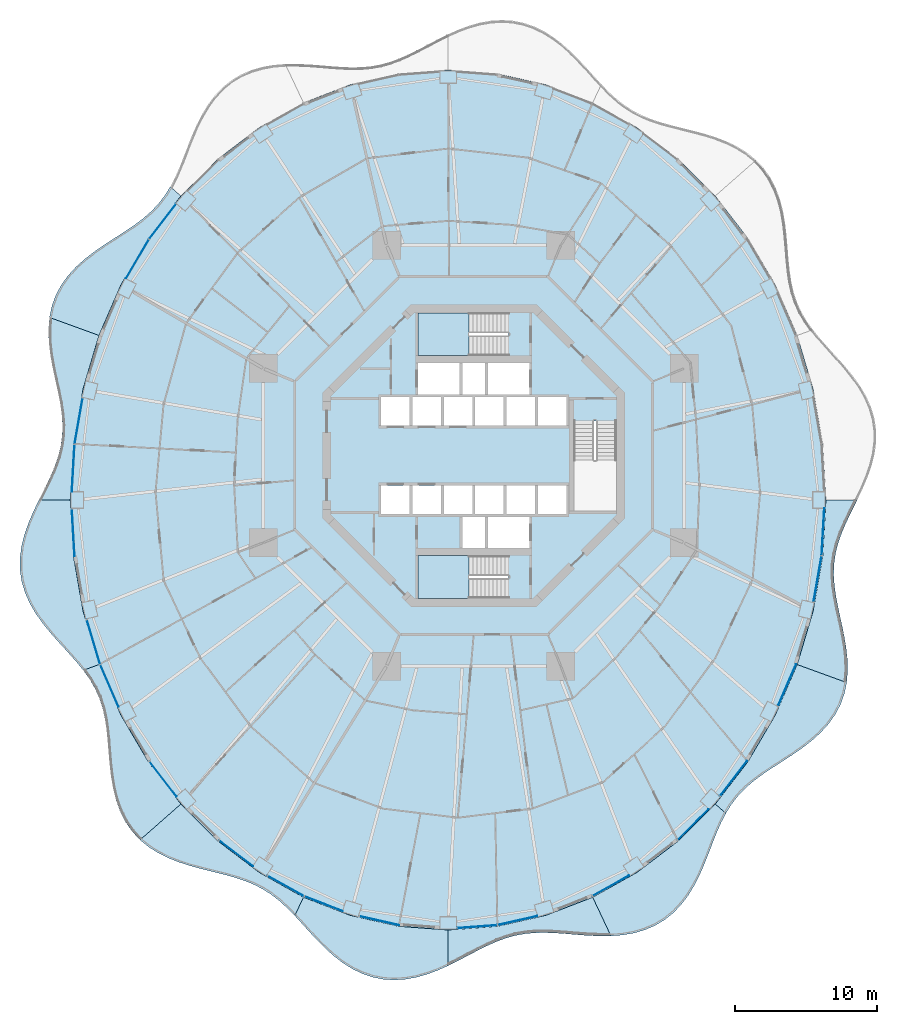
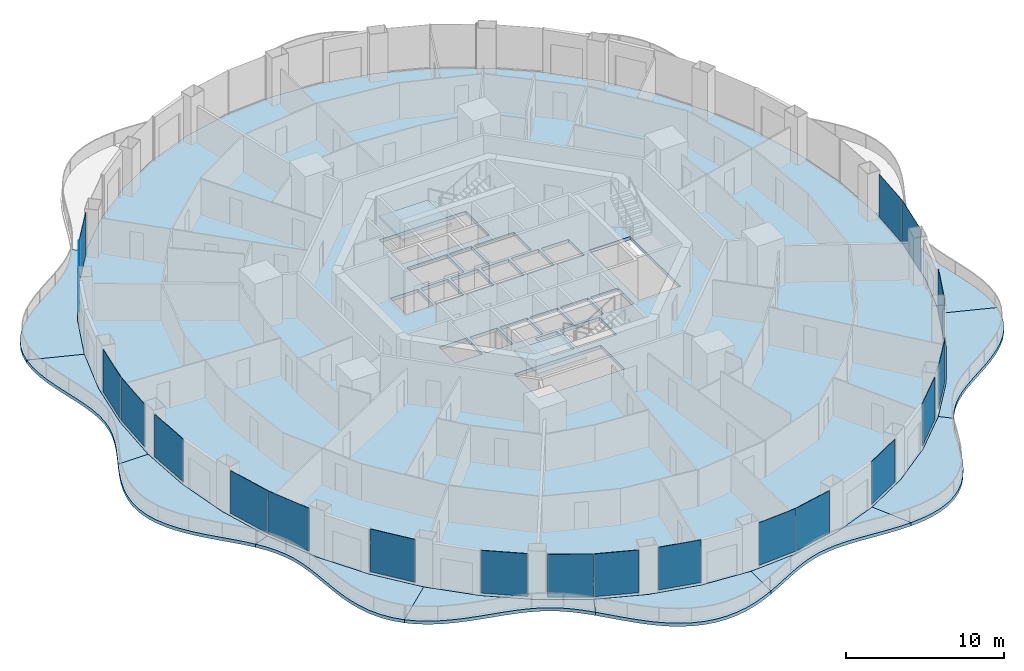
# One storey, part 10 of 20: 20 plates, 13 slabs, 22 elements without a shape of their own.
"""IFC4 building model written with IfcOpenShell, lengths in metres."""

from ifc_helpers import new_model, si_unit, direction, frame, origin, origin_2d, place, context, subcontext, project, spatial, polyline, rectangle, outline, extrude, material, layer, layer_set, type_object, element, aggregate, save


model = new_model("IFC4")

# Units and contexts
model_context = context("Model", 3, precision=1e-05, world=origin(), true_north=direction((0.0, 1.0)))
body_context = subcontext(model_context, "Body", "Model", "MODEL_VIEW")
ifc_project = project(units=[si_unit("LENGTHUNIT", "METRE"), si_unit("AREAUNIT", "SQUARE_METRE"), si_unit("VOLUMEUNIT", "CUBIC_METRE"), si_unit("PLANEANGLEUNIT", "RADIAN"), si_unit("MASSUNIT", "GRAM", prefix="KILO")], contexts=[model_context])

# Site, building, storey
site_placement = place(None, origin())
site = spatial("IfcSite", under=ifc_project, at=site_placement, CompositionType="ELEMENT")
building_placement = place(site_placement, origin())
building = spatial("IfcBuilding", under=site, at=building_placement, Name="Nagisa Residences", CompositionType="ELEMENT")
storey_placement = place(building_placement, frame((0.0, 0.0, 141.800048828125)))
storey = spatial("IfcBuildingStorey", under=building, at=storey_placement, Name="L35", CompositionType="ELEMENT", Elevation=141.800048828125)

# Slabs
ifc_material_1 = material(Name="Concrete C40/50", Category="concrete")
ifc_layer_1 = layer(ifc_material_1, 0.25)
ifc_layer_set_1 = layer_set([ifc_layer_1], Name="BALCONY SLAB 250")
slab_type_1 = type_object("IfcSlabType", Name="BALCONY SLAB 250", PredefinedType="FLOOR", material=ifc_layer_set_1)
slab_1_placement = place(storey_placement, frame((0.0, 0.0, -0.25)))
element("IfcSlab", 1, at=slab_1_placement, inside=storey, type_object=slab_type_1, Name="slab:L35:bal06", PredefinedType="FLOOR", context=body_context, shape_type="SweptSolid", body=[
    extrude(outline(polyline([(-21.302734375, 18.88330078125), (-21.697509765625, 18.2509765625), (-22.147705078125, 17.66943359375), (-22.658203125, 17.134033203125), (-23.22900390625, 16.637451171875), (-23.85498046875, 16.168701171875), (-24.5263671875, 15.71533203125), (-25.22802734375, 15.263671875), (-25.9423828125, 14.80029296875), (-26.6484375, 14.3125), (-27.324951171875, 13.790283203125), (-27.951171875, 13.225341796875), (-28.507568359375, 12.61279296875), (-28.978271484375, 11.951416015625), (-29.35205078125, 11.242431640625), (-29.62255859375, 10.490478515625), (-29.789306640625, 9.701904296875), (-26.315185546875, 8.4375), (-24.780029296875, 11.979736328125), (-22.8515625, 15.263916015625), (-20.56298828125, 18.2333984375), (-21.302734375, 18.88330078125)])), origin(), (0.0, 0.0, 1.0), 0.25),
])
slab_2_placement = place(storey_placement, frame((0.0, 0.0, -0.25)))
element("IfcSlab", 2, at=slab_2_placement, inside=storey, type_object=slab_type_1, Name="slab:L35:bal07", PredefinedType="FLOOR", context=body_context, shape_type="SweptSolid", body=[
    extrude(outline(polyline([(-29.789306640625, 9.701904296875), (-29.85791015625, 8.859619140625), (-29.833740234375, 7.998046875), (-29.734130859375, 7.128173828125), (-29.5810546875, 6.260009765625), (-29.399169921875, 5.40185546875), (-29.21435546875, 4.560302734375), (-29.051513671875, 3.7392578125), (-28.933349609375, 2.9404296875), (-28.87841796875, 2.162109375), (-28.899658203125, 1.4013671875), (-29.003662109375, 0.653076171875), (-29.190185546875, -0.08935546875), (-29.4521484375, -0.83203125), (-29.77587890625, -1.581298828125), (-30.142333984375, -2.342041015625), (-30.5283203125, -3.11767578125), (-28.3349609375, -3.11767578125), (-28.10791015625, 0.823486328125), (-27.430908203125, 4.697265625), (-26.315185546875, 8.4375), (-29.789306640625, 9.701904296875)])), origin(), (0.0, 0.0, 1.0), 0.25),
])
slab_3_placement = place(storey_placement, frame((0.0, 0.0, -0.25)))
element("IfcSlab", 3, at=slab_3_placement, inside=storey, type_object=slab_type_1, Name="slab:L35:bal08", PredefinedType="FLOOR", context=body_context, shape_type="SweptSolid", body=[
    extrude(outline(polyline([(-30.5283203125, -3.11767578125), (-30.90771484375, -3.909912109375), (-31.25439453125, -4.7177734375), (-31.54296875, -5.5380859375), (-31.7509765625, -6.366455078125), (-31.860107421875, -7.1962890625), (-31.858154296875, -8.0205078125), (-31.739501953125, -8.831787109375), (-31.50537109375, -9.623291015625), (-31.163818359375, -10.389892578125), (-30.728759765625, -11.1279296875), (-30.219970703125, -11.836181640625), (-29.66015625, -12.516357421875), (-29.074951171875, -13.172607421875), (-28.490234375, -13.8115234375), (-27.929443359375, -14.441650390625), (-27.4140625, -15.07275390625), (-26.315185546875, -14.6728515625), (-27.430908203125, -10.9326171875), (-28.10791015625, -7.058837890625), (-28.3349609375, -3.11767578125), (-30.5283203125, -3.11767578125)])), origin(), (0.0, 0.0, 1.0), 0.25),
])
slab_4_placement = place(storey_placement, frame((0.0, 0.0, -0.25)))
element("IfcSlab", 4, at=slab_4_placement, inside=storey, type_object=slab_type_1, Name="slab:L35:bal09", PredefinedType="FLOOR", context=body_context, shape_type="SweptSolid", body=[
    extrude(outline(polyline([(-27.4140625, -15.07275390625), (-26.973388671875, -15.695068359375), (-26.6005859375, -16.3369140625), (-26.2998046875, -17.005615234375), (-26.069091796875, -17.707275390625), (-25.90185546875, -18.44482421875), (-25.78515625, -19.21826171875), (-25.703125, -20.0244140625), (-25.63623046875, -20.856689453125), (-25.5634765625, -21.705810546875), (-25.463623046875, -22.55908203125), (-25.317138671875, -23.40283203125), (-25.10693359375, -24.222412109375), (-24.819091796875, -25.0029296875), (-24.445068359375, -25.73095703125), (-23.981201171875, -26.39501953125), (-23.428466796875, -26.98681640625), (-20.56298828125, -24.46875), (-22.8515625, -21.499267578125), (-24.780029296875, -18.215087890625), (-26.315185546875, -14.6728515625), (-27.4140625, -15.07275390625)])), origin(), (0.0, 0.0, 1.0), 0.25),
])
slab_5_placement = place(storey_placement, frame((0.0, 0.0, -0.25)))
element("IfcSlab", 5, at=slab_5_placement, inside=storey, type_object=slab_type_1, Name="slab:L35:bal10", PredefinedType="FLOOR", context=body_context, shape_type="SweptSolid", body=[
    extrude(outline(polyline([(-23.428466796875, -26.98681640625), (-22.8251953125, -27.47998046875), (-22.156005859375, -27.903564453125), (-21.43359375, -28.260986328125), (-20.671875, -28.559814453125), (-19.88623046875, -28.810302734375), (-19.092041015625, -29.02587890625), (-18.303955078125, -29.2216796875), (-17.534423828125, -29.413818359375), (-16.793212890625, -29.618896484375), (-16.087646484375, -29.8515625), (-15.421142578125, -30.125), (-14.79345703125, -30.44921875), (-14.201416015625, -30.830078125), (-13.638427734375, -31.269775390625), (-13.09619140625, -31.764892578125), (-12.564453125, -32.308349609375), (-11.95458984375, -31.01416015625), (-15.0673828125, -29.267333984375), (-17.953369140625, -27.072998046875), (-20.56298828125, -24.46875), (-23.428466796875, -26.98681640625)])), origin(), (0.0, 0.0, 1.0), 0.25),
])
slab_6_placement = place(storey_placement, frame((0.0, 0.0, -0.25)))
element("IfcSlab", 6, at=slab_6_placement, inside=storey, type_object=slab_type_1, Name="slab:L35:bal11", PredefinedType="FLOOR", context=body_context, shape_type="SweptSolid", body=[
    extrude(outline(polyline([(-12.564453125, -32.308349609375), (-12.052001953125, -32.86669921875), (-11.52978515625, -33.445068359375), (-10.9892578125, -34.02734375), (-10.423095703125, -34.595458984375), (-9.826416015625, -35.13134765625), (-9.196044921875, -35.616943359375), (-8.531494140625, -36.0361328125), (-7.834716796875, -36.374755859375), (-7.109375, -36.622314453125), (-6.361572265625, -36.772705078125), (-5.597900390625, -36.823486328125), (-4.826171875, -36.77734375), (-4.05419921875, -36.641357421875), (-3.288818359375, -36.42626953125), (-2.535888671875, -36.146484375), (-1.800048828125, -35.819580078125), (-1.800048828125, -33.312744140625), (-5.263427734375, -33.054443359375), (-8.667724609375, -32.283935546875), (-11.95458984375, -31.01416015625), (-12.564453125, -32.308349609375)])), origin(), (0.0, 0.0, 1.0), 0.25),
])
slab_7_placement = place(storey_placement, frame((0.0, 0.0, -0.25)))
element("IfcSlab", 7, at=slab_7_placement, inside=storey, type_object=slab_type_1, Name="slab:L35:bal12", PredefinedType="FLOOR", context=body_context, shape_type="SweptSolid", body=[
    extrude(outline(polyline([(-1.800048828125, -35.819580078125), (-1.083251953125, -35.463623046875), (-0.385986328125, -35.09814453125), (0.29345703125, -34.74169921875), (0.959228515625, -34.411376953125), (1.615966796875, -34.120849609375), (2.270263671875, -33.88134765625), (2.9287109375, -33.69921875), (3.597900390625, -33.576904296875), (4.283203125, -33.511962890625), (4.9892578125, -33.498046875), (5.718505859375, -33.524658203125), (6.470947265625, -33.578369140625), (7.244384765625, -33.64306640625), (8.0341796875, -33.701416015625), (8.833984375, -33.736328125), (9.634765625, -33.73046875), (8.3544921875, -31.01416015625), (5.06787109375, -32.283935546875), (1.66357421875, -33.054443359375), (-1.800048828125, -33.312744140625), (-1.800048828125, -35.819580078125)])), origin(), (0.0, 0.0, 1.0), 0.25),
])
slab_8_placement = place(storey_placement, frame((0.0, 0.0, -0.25)))
element("IfcSlab", 8, at=slab_8_placement, inside=storey, type_object=slab_type_1, Name="slab:L35:bal13", PredefinedType="FLOOR", context=body_context, shape_type="SweptSolid", body=[
    extrude(outline(polyline([(9.634765625, -33.73046875), (10.456298828125, -33.66552734375), (11.25634765625, -33.526611328125), (12.023193359375, -33.303955078125), (12.74609375, -32.9912109375), (13.416015625, -32.58740234375), (14.0263671875, -32.095947265625), (14.573486328125, -31.5244140625), (15.057861328125, -30.884033203125), (15.482666015625, -30.1884765625), (15.85546875, -29.454345703125), (16.1865234375, -28.698486328125), (16.488525390625, -27.9375), (16.776123046875, -27.186767578125), (17.064453125, -26.460205078125), (17.36865234375, -25.768310546875), (17.70263671875, -25.11865234375), (16.963134765625, -24.46875), (14.353515625, -27.072998046875), (11.467529296875, -29.267333984375), (8.3544921875, -31.01416015625), (9.634765625, -33.73046875)])), origin(), (0.0, 0.0, 1.0), 0.25),
])
slab_9_placement = place(storey_placement, frame((0.0, 0.0, -0.25)))
element("IfcSlab", 9, at=slab_9_placement, inside=storey, type_object=slab_type_1, Name="slab:L35:bal14", PredefinedType="FLOOR", context=body_context, shape_type="SweptSolid", body=[
    extrude(outline(polyline([(17.70263671875, -25.11865234375), (18.09765625, -24.486328125), (18.547607421875, -23.90478515625), (19.05810546875, -23.369384765625), (19.62890625, -22.872802734375), (20.255126953125, -22.404052734375), (20.92626953125, -21.95068359375), (21.628173828125, -21.4990234375), (22.34228515625, -21.03564453125), (23.04833984375, -20.548095703125), (23.72509765625, -20.025634765625), (24.35107421875, -19.460693359375), (24.907470703125, -18.848388671875), (25.37841796875, -18.186767578125), (25.752197265625, -17.477783203125), (26.022705078125, -16.725830078125), (26.189208984375, -15.9375), (22.715087890625, -14.6728515625), (21.179931640625, -18.215087890625), (19.251708984375, -21.499267578125), (16.963134765625, -24.46875), (17.70263671875, -25.11865234375)])), origin(), (0.0, 0.0, 1.0), 0.25),
])
slab_10_placement = place(storey_placement, frame((0.0, 0.0, -0.25)))
element("IfcSlab", 10, at=slab_10_placement, inside=storey, type_object=slab_type_1, Name="slab:L35:bal15", PredefinedType="FLOOR", context=body_context, shape_type="SweptSolid", body=[
    extrude(outline(polyline([(26.189208984375, -15.9375), (26.2578125, -15.094970703125), (26.233642578125, -14.2333984375), (26.134033203125, -13.363525390625), (25.98095703125, -12.495361328125), (25.799072265625, -11.63720703125), (25.6142578125, -10.795654296875), (25.451416015625, -9.974609375), (25.33349609375, -9.17578125), (25.278564453125, -8.3974609375), (25.2998046875, -7.63671875), (25.40380859375, -6.888427734375), (25.59033203125, -6.14599609375), (25.852294921875, -5.4033203125), (26.176025390625, -4.654296875), (26.542236328125, -3.8935546875), (26.92822265625, -3.11767578125), (24.735107421875, -3.11767578125), (24.508056640625, -7.058837890625), (23.830810546875, -10.9326171875), (22.715087890625, -14.6728515625), (26.189208984375, -15.9375)])), origin(), (0.0, 0.0, 1.0), 0.25),
])

# Curtain wall, plate
ifc_material_2 = material(Name="Concrete-coloured aluminium curtain wall system", Category="concrete")
ifc_layer_2 = layer(ifc_material_2, 0.159912109375)
ifc_layer_set_2 = layer_set([ifc_layer_2], Name="CW1 CURTAIN WALL")
curtain_wall_type = type_object("IfcCurtainWallType", Name="CW1 CURTAIN WALL", PredefinedType="NOTDEFINED", material=ifc_layer_set_2)
curtain_wall_1_placement = place(storey_placement, origin())
curtain_wall_1 = element("IfcCurtainWall", 11, at=curtain_wall_1_placement, inside=storey, type_object=curtain_wall_type, Name="cw:CW1:L35:18", PredefinedType="NOTDEFINED")
ifc_material_3 = material(Name="Clear laminated glass", Category="glass")
ifc_layer_3 = layer(ifc_material_3, 0.028076171875)
ifc_layer_set_3 = layer_set([ifc_layer_3], Name="CW1 GLASS PANEL")
plate_type = type_object("IfcPlateType", Name="CW1 GLASS PANEL", PredefinedType="CURTAIN_PANEL", material=ifc_layer_set_3)
plate_1_placement = place(storey_placement, frame((-21.845458984375, 16.4384765625, 0.14990234375), z_axis=(0.0, 0.0, 1.0), x_axis=(-0.610429828235, -0.792070340816, 0.0)))
plate_1 = element("IfcPlate", 12, at=plate_1_placement, type_object=plate_type, Name="CW1 panel", PredefinedType="CURTAIN_PANEL", context=body_context, shape_type="SweptSolid", body=[
    extrude(rectangle(XDim=3.089111328125, YDim=0.028076171875, at=origin_2d()), origin(), (0.0, 0.0, 1.0), 3.2900390625),
])
aggregate(curtain_wall_1, [plate_1])

curtain_wall_2_placement = place(storey_placement, origin())
curtain_wall_2 = element("IfcCurtainWall", 13, at=curtain_wall_2_placement, inside=storey, type_object=curtain_wall_type, Name="cw:CW1:L35:19", PredefinedType="NOTDEFINED")
plate_2_placement = place(storey_placement, frame((-23.610107421875, 13.814208984375, 0.14990234375), z_axis=(0.0, 0.0, 1.0), x_axis=(-0.506348567002, -0.862328898214, 0.0)))
plate_2 = element("IfcPlate", 14, at=plate_2_placement, type_object=plate_type, Name="CW1 panel", PredefinedType="CURTAIN_PANEL", context=body_context, shape_type="SweptSolid", body=[
    extrude(rectangle(XDim=3.1484375, YDim=0.028076171875, at=origin_2d()), origin(), (0.0, 0.0, 1.0), 3.2900390625),
])
aggregate(curtain_wall_2, [plate_2])

curtain_wall_3_placement = place(storey_placement, origin())
curtain_wall_3 = element("IfcCurtainWall", 15, at=curtain_wall_3_placement, inside=storey, type_object=curtain_wall_type, Name="cw:CW1:L35:22", PredefinedType="NOTDEFINED")
plate_3_placement = place(storey_placement, frame((-27.747314453125, 2.421630859375, 0.14990234375), z_axis=(0.0, 0.0, 1.0), x_axis=(-0.172190868898, -0.985063604377, 0.0)))
plate_3 = element("IfcPlate", 16, at=plate_3_placement, type_object=plate_type, Name="CW1 panel", PredefinedType="CURTAIN_PANEL", context=body_context, shape_type="SweptSolid", body=[
    extrude(rectangle(XDim=3.2724609375, YDim=0.028076171875, at=origin_2d()), origin(), (0.0, 0.0, 1.0), 3.2900390625),
])
aggregate(curtain_wall_3, [plate_3])

curtain_wall_4_placement = place(storey_placement, origin())
curtain_wall_4 = element("IfcCurtainWall", 17, at=curtain_wall_4_placement, inside=storey, type_object=curtain_wall_type, Name="cw:CW1:L35:23", PredefinedType="NOTDEFINED")
plate_4_placement = place(storey_placement, frame((-28.126220703125, -0.882080078125, 0.14990234375), z_axis=(0.0, 0.0, 1.0), x_axis=(-0.057503492216, -0.998345305184, 0.0)))
plate_4 = element("IfcPlate", 18, at=plate_4_placement, type_object=plate_type, Name="CW1 panel", PredefinedType="CURTAIN_PANEL", context=body_context, shape_type="SweptSolid", body=[
    extrude(rectangle(XDim=3.287841796875, YDim=0.028076171875, at=origin_2d()), origin(), (0.0, 0.0, 1.0), 3.2900390625),
])
aggregate(curtain_wall_4, [plate_4])

curtain_wall_5_placement = place(storey_placement, origin())
curtain_wall_5 = element("IfcCurtainWall", 19, at=curtain_wall_5_placement, inside=storey, type_object=curtain_wall_type, Name="cw:CW1:L35:24", PredefinedType="NOTDEFINED")
plate_5_placement = place(storey_placement, frame((-28.12255859375, -5.4130859375, 0.14990234375), z_axis=(0.0, 0.0, 1.0), x_axis=(0.057503492216, -0.998345305184, 0.0)))
plate_5 = element("IfcPlate", 20, at=plate_5_placement, type_object=plate_type, Name="CW1 panel", PredefinedType="CURTAIN_PANEL", context=body_context, shape_type="SweptSolid", body=[
    extrude(rectangle(XDim=3.287841796875, YDim=0.028076171875, at=origin_2d()), origin(), (0.0, 0.0, 1.0), 3.2900390625),
])
aggregate(curtain_wall_5, [plate_5])

curtain_wall_6_placement = place(storey_placement, origin())
curtain_wall_6 = element("IfcCurtainWall", 21, at=curtain_wall_6_placement, inside=storey, type_object=curtain_wall_type, Name="cw:CW1:L35:26", PredefinedType="NOTDEFINED")
plate_6_placement = place(storey_placement, frame((-26.701904296875, -13.09619140625, 0.14990234375), z_axis=(0.0, 0.0, 1.0), x_axis=(0.285860274038, -0.958271310082, 0.0)))
plate_6 = element("IfcPlate", 22, at=plate_6_placement, type_object=plate_type, Name="CW1 panel", PredefinedType="CURTAIN_PANEL", context=body_context, shape_type="SweptSolid", body=[
    extrude(rectangle(XDim=3.242919921875, YDim=0.028076171875, at=origin_2d()), origin(), (0.0, 0.0, 1.0), 3.2900390625),
])
aggregate(curtain_wall_6, [plate_6])

curtain_wall_7_placement = place(storey_placement, origin())
curtain_wall_7 = element("IfcCurtainWall", 23, at=curtain_wall_7_placement, inside=storey, type_object=curtain_wall_type, Name="cw:CW1:L35:27", PredefinedType="NOTDEFINED")
plate_7_placement = place(storey_placement, frame((-25.58154296875, -16.16455078125, 0.14990234375), z_axis=(0.0, 0.0, 1.0), x_axis=(0.397635934147, -0.917543276295, 0.0)))
plate_7 = element("IfcPlate", 24, at=plate_7_placement, type_object=plate_type, Name="CW1 panel", PredefinedType="CURTAIN_PANEL", context=body_context, shape_type="SweptSolid", body=[
    extrude(rectangle(XDim=3.20068359375, YDim=0.028076171875, at=origin_2d()), origin(), (0.0, 0.0, 1.0), 3.2900390625),
])
aggregate(curtain_wall_7, [plate_7])

curtain_wall_8_placement = place(storey_placement, origin())
curtain_wall_8 = element("IfcCurtainWall", 25, at=curtain_wall_8_placement, inside=storey, type_object=curtain_wall_type, Name="cw:CW1:L35:29", PredefinedType="NOTDEFINED")
plate_8_placement = place(storey_placement, frame((-21.808837890625, -22.721435546875, 0.14990234375), z_axis=(0.0, 0.0, 1.0), x_axis=(0.610429828235, -0.792070340816, 0.0)))
plate_8 = element("IfcPlate", 26, at=plate_8_placement, type_object=plate_type, Name="CW1 panel", PredefinedType="CURTAIN_PANEL", context=body_context, shape_type="SweptSolid", body=[
    extrude(rectangle(XDim=3.089111328125, YDim=0.028076171875, at=origin_2d()), origin(), (0.0, 0.0, 1.0), 3.2900390625),
])
aggregate(curtain_wall_8, [plate_8])

curtain_wall_9_placement = place(storey_placement, origin())
curtain_wall_9 = element("IfcCurtainWall", 27, at=curtain_wall_9_placement, inside=storey, type_object=curtain_wall_type, Name="cw:CW1:L35:31", PredefinedType="NOTDEFINED")
plate_9_placement = place(storey_placement, frame((-16.677001953125, -27.943115234375, 0.14990234375), z_axis=(0.0, 0.0, 1.0), x_axis=(0.79603132756, -0.605255421737, 0.0)))
plate_9 = element("IfcPlate", 28, at=plate_9_placement, type_object=plate_type, Name="CW1 panel", PredefinedType="CURTAIN_PANEL", context=body_context, shape_type="SweptSolid", body=[
    extrude(rectangle(XDim=2.965576171875, YDim=0.028076171875, at=origin_2d()), origin(), (0.0, 0.0, 1.0), 3.2900390625),
])
aggregate(curtain_wall_9, [plate_9])

curtain_wall_10_placement = place(storey_placement, origin())
curtain_wall_10 = element("IfcCurtainWall", 29, at=curtain_wall_10_placement, inside=storey, type_object=curtain_wall_type, Name="cw:CW1:L35:32", PredefinedType="NOTDEFINED")
plate_10_placement = place(storey_placement, frame((-13.18408203125, -30.232421875, 0.14990234375), z_axis=(0.0, 0.0, 1.0), x_axis=(0.872072377523, -0.489376918501, 0.0)))
plate_10 = element("IfcPlate", 30, at=plate_10_placement, type_object=plate_type, Name="CW1 panel", PredefinedType="CURTAIN_PANEL", context=body_context, shape_type="SweptSolid", body=[
    extrude(rectangle(XDim=2.90966796875, YDim=0.028076171875, at=origin_2d()), origin(), (0.0, 0.0, 1.0), 3.2900390625),
])
aggregate(curtain_wall_10, [plate_10])

curtain_wall_11_placement = place(storey_placement, origin())
curtain_wall_11 = element("IfcCurtainWall", 31, at=curtain_wall_11_placement, inside=storey, type_object=curtain_wall_type, Name="cw:CW1:L35:33", PredefinedType="NOTDEFINED")
plate_11_placement = place(storey_placement, frame((-10.5341796875, -31.47705078125, 0.14990234375), z_axis=(0.0, 0.0, 1.0), x_axis=(0.932825759707, -0.360327770268, 0.0)))
plate_11 = element("IfcPlate", 32, at=plate_11_placement, type_object=plate_type, Name="CW1 panel", PredefinedType="CURTAIN_PANEL", context=body_context, shape_type="SweptSolid", body=[
    extrude(rectangle(XDim=2.863525390625, YDim=0.028076171875, at=origin_2d()), origin(), (0.0, 0.0, 1.0), 3.2900390625),
])
aggregate(curtain_wall_11, [plate_11])

curtain_wall_12_placement = place(storey_placement, origin())
curtain_wall_12 = element("IfcCurtainWall", 33, at=curtain_wall_12_placement, inside=storey, type_object=curtain_wall_type, Name="cw:CW1:L35:34", PredefinedType="NOTDEFINED")
plate_12_placement = place(storey_placement, frame((-6.626220703125, -32.663818359375, 0.14990234375), z_axis=(0.0, 0.0, 1.0), x_axis=(0.975327274089, -0.2207639201, 0.0)))
plate_12 = element("IfcPlate", 34, at=plate_12_placement, type_object=plate_type, Name="CW1 panel", PredefinedType="CURTAIN_PANEL", context=body_context, shape_type="SweptSolid", body=[
    extrude(rectangle(XDim=2.830322265625, YDim=0.028076171875, at=origin_2d()), origin(), (0.0, 0.0, 1.0), 3.2900390625),
])
aggregate(curtain_wall_12, [plate_12])

curtain_wall_13_placement = place(storey_placement, origin())
curtain_wall_13 = element("IfcCurtainWall", 35, at=curtain_wall_13_placement, inside=storey, type_object=curtain_wall_type, Name="cw:CW1:L35:36", PredefinedType="NOTDEFINED")
plate_13_placement = place(storey_placement, frame((0.2548828125, -33.0791015625, 0.14990234375), z_axis=(0.0, 0.0, 1.0), x_axis=(0.997230168512, 0.074377355493, 0.0)))
plate_13 = element("IfcPlate", 36, at=plate_13_placement, type_object=plate_type, Name="CW1 panel", PredefinedType="CURTAIN_PANEL", context=body_context, shape_type="SweptSolid", body=[
    extrude(rectangle(XDim=2.813232421875, YDim=0.028076171875, at=origin_2d()), origin(), (0.0, 0.0, 1.0), 3.2900390625),
])
aggregate(curtain_wall_13, [plate_13])

curtain_wall_14_placement = place(storey_placement, origin())
curtain_wall_14 = element("IfcCurtainWall", 37, at=curtain_wall_14_placement, inside=storey, type_object=curtain_wall_type, Name="cw:CW1:L35:37", PredefinedType="NOTDEFINED")
plate_14_placement = place(storey_placement, frame((3.084716796875, -32.650634765625, 0.14990234375), z_axis=(0.0, 0.0, 1.0), x_axis=(0.975327274089, 0.2207639201, 0.0)))
plate_14 = element("IfcPlate", 38, at=plate_14_placement, type_object=plate_type, Name="CW1 panel", PredefinedType="CURTAIN_PANEL", context=body_context, shape_type="SweptSolid", body=[
    extrude(rectangle(XDim=2.830322265625, YDim=0.028076171875, at=origin_2d()), origin(), (0.0, 0.0, 1.0), 3.2900390625),
])
aggregate(curtain_wall_14, [plate_14])

curtain_wall_15_placement = place(storey_placement, origin())
curtain_wall_15 = element("IfcCurtainWall", 39, at=curtain_wall_15_placement, inside=storey, type_object=curtain_wall_type, Name="cw:CW1:L35:39", PredefinedType="NOTDEFINED")
plate_15_placement = place(storey_placement, frame((9.636474609375, -30.203125, 0.14990234375), z_axis=(0.0, 0.0, 1.0), x_axis=(0.872072377523, 0.489376918501, 0.0)))
plate_15 = element("IfcPlate", 40, at=plate_15_placement, type_object=plate_type, Name="CW1 panel", PredefinedType="CURTAIN_PANEL", context=body_context, shape_type="SweptSolid", body=[
    extrude(rectangle(XDim=2.90966796875, YDim=0.028076171875, at=origin_2d()), origin(), (0.0, 0.0, 1.0), 3.2900390625),
])
aggregate(curtain_wall_15, [plate_15])

curtain_wall_16_placement = place(storey_placement, origin())
curtain_wall_16 = element("IfcCurtainWall", 41, at=curtain_wall_16_placement, inside=storey, type_object=curtain_wall_type, Name="cw:CW1:L35:41", PredefinedType="NOTDEFINED")
plate_16_placement = place(storey_placement, frame((15.41064453125, -25.905029296875, 0.14990234375), z_axis=(0.0, 0.0, 1.0), x_axis=(0.707835924016, 0.706376885714, 0.0)))
plate_16 = element("IfcPlate", 42, at=plate_16_placement, type_object=plate_type, Name="CW1 panel", PredefinedType="CURTAIN_PANEL", context=body_context, shape_type="SweptSolid", body=[
    extrude(rectangle(XDim=3.026611328125, YDim=0.028076171875, at=origin_2d()), origin(), (0.0, 0.0, 1.0), 3.2900390625),
])
aggregate(curtain_wall_16, [plate_16])

curtain_wall_17_placement = place(storey_placement, origin())
curtain_wall_17 = element("IfcCurtainWall", 43, at=curtain_wall_17_placement, inside=storey, type_object=curtain_wall_type, Name="cw:CW1:L35:42", PredefinedType="NOTDEFINED")
plate_17_placement = place(storey_placement, frame((18.245361328125, -22.673828125, 0.14990234375), z_axis=(0.0, 0.0, 1.0), x_axis=(0.610429828235, 0.792070340816, 0.0)))
plate_17 = element("IfcPlate", 44, at=plate_17_placement, type_object=plate_type, Name="CW1 panel", PredefinedType="CURTAIN_PANEL", context=body_context, shape_type="SweptSolid", body=[
    extrude(rectangle(XDim=3.089111328125, YDim=0.028076171875, at=origin_2d()), origin(), (0.0, 0.0, 1.0), 3.2900390625),
])
aggregate(curtain_wall_17, [plate_17])

curtain_wall_18_placement = place(storey_placement, origin())
curtain_wall_18 = element("IfcCurtainWall", 45, at=curtain_wall_18_placement, inside=storey, type_object=curtain_wall_type, Name="cw:CW1:L35:44", PredefinedType="NOTDEFINED")
plate_18_placement = place(storey_placement, frame((22.00537109375, -16.109375, 0.14990234375), z_axis=(0.0, 0.0, 1.0), x_axis=(0.397635934147, 0.917543276295, 0.0)))
plate_18 = element("IfcPlate", 46, at=plate_18_placement, type_object=plate_type, Name="CW1 panel", PredefinedType="CURTAIN_PANEL", context=body_context, shape_type="SweptSolid", body=[
    extrude(rectangle(XDim=3.20068359375, YDim=0.028076171875, at=origin_2d()), origin(), (0.0, 0.0, 1.0), 3.2900390625),
])
aggregate(curtain_wall_18, [plate_18])

curtain_wall_19_placement = place(storey_placement, origin())
curtain_wall_19 = element("IfcCurtainWall", 47, at=curtain_wall_19_placement, inside=storey, type_object=curtain_wall_type, Name="cw:CW1:L35:46", PredefinedType="NOTDEFINED")
plate_19_placement = place(storey_placement, frame((24.1474609375, -8.656982421875, 0.14990234375), z_axis=(0.0, 0.0, 1.0), x_axis=(0.172190868898, 0.985063604377, 0.0)))
plate_19 = element("IfcPlate", 48, at=plate_19_placement, type_object=plate_type, Name="CW1 panel", PredefinedType="CURTAIN_PANEL", context=body_context, shape_type="SweptSolid", body=[
    extrude(rectangle(XDim=3.2724609375, YDim=0.028076171875, at=origin_2d()), origin(), (0.0, 0.0, 1.0), 3.2900390625),
])
aggregate(curtain_wall_19, [plate_19])

curtain_wall_20_placement = place(storey_placement, origin())
curtain_wall_20 = element("IfcCurtainWall", 49, at=curtain_wall_20_placement, inside=storey, type_object=curtain_wall_type, Name="cw:CW1:L35:47", PredefinedType="NOTDEFINED")
plate_20_placement = place(storey_placement, frame((24.526123046875, -5.353271484375, 0.14990234375), z_axis=(0.0, 0.0, 1.0), x_axis=(0.057503492216, 0.998345305184, 0.0)))
plate_20 = element("IfcPlate", 50, at=plate_20_placement, type_object=plate_type, Name="CW1 panel", PredefinedType="CURTAIN_PANEL", context=body_context, shape_type="SweptSolid", body=[
    extrude(rectangle(XDim=3.287841796875, YDim=0.028076171875, at=origin_2d()), origin(), (0.0, 0.0, 1.0), 3.2900390625),
])
aggregate(curtain_wall_20, [plate_20])

# Slab
ifc_material_4 = material(Name="Concrete C40", Category="concrete")
ifc_layer_4 = layer(ifc_material_4, 0.260009765625)
ifc_layer_set_4 = layer_set([ifc_layer_4], Name="Floor slab 260")
slab_type_2 = type_object("IfcSlabType", Name="Floor slab 260", PredefinedType="FLOOR", material=ifc_layer_set_4)
slab_11_placement = place(storey_placement, frame((0.0, 0.0, -0.260009765625)))
element("IfcSlab", 51, at=slab_11_placement, inside=storey, type_object=slab_type_2, Name="slab:L35:floor", PredefinedType="FLOOR", context=body_context, shape_type="SweptSolid", body=[
    extrude(outline(polyline([(24.735107421875, -3.11767578125), (24.508056640625, 0.823486328125), (23.830810546875, 4.697265625), (22.715087890625, 8.4375), (21.179931640625, 11.979736328125), (19.251708984375, 15.263916015625), (16.963134765625, 18.2333984375), (14.353515625, 20.837646484375), (11.467529296875, 23.031982421875), (8.3544921875, 24.77880859375), (5.06787109375, 26.04833984375), (1.66357421875, 26.819091796875), (-1.800048828125, 27.077392578125), (-5.263427734375, 26.819091796875), (-8.667724609375, 26.04833984375), (-11.95458984375, 24.77880859375), (-15.0673828125, 23.031982421875), (-17.953369140625, 20.837646484375), (-20.56298828125, 18.2333984375), (-22.8515625, 15.263916015625), (-24.780029296875, 11.979736328125), (-26.315185546875, 8.4375), (-27.430908203125, 4.697265625), (-28.10791015625, 0.823486328125), (-28.3349609375, -3.11767578125), (-28.10791015625, -7.058837890625), (-27.430908203125, -10.9326171875), (-26.315185546875, -14.6728515625), (-24.780029296875, -18.215087890625), (-22.8515625, -21.499267578125), (-20.56298828125, -24.46875), (-17.953369140625, -27.072998046875), (-15.0673828125, -29.267333984375), (-11.95458984375, -31.01416015625), (-8.667724609375, -32.283935546875), (-5.263427734375, -33.054443359375), (-1.800048828125, -33.312744140625), (1.66357421875, -33.054443359375), (5.06787109375, -32.283935546875), (8.3544921875, -31.01416015625), (11.467529296875, -29.267333984375), (14.353515625, -27.072998046875), (16.963134765625, -24.46875), (19.251708984375, -21.499267578125), (21.179931640625, -18.215087890625), (22.715087890625, -14.6728515625), (23.830810546875, -10.9326171875), (24.508056640625, -7.058837890625), (24.735107421875, -3.11767578125)]), holes=[polyline([(-4.5, 2.10009765625), (-4.5, 4.10009765625), (-6.5, 4.10009765625), (-6.5, 2.10009765625), (-4.5, 2.10009765625)]), polyline([(-2.300048828125, 2.10009765625), (-2.300048828125, 4.10009765625), (-4.300048828125, 4.10009765625), (-4.300048828125, 2.10009765625), (-2.300048828125, 2.10009765625)]), polyline([(-0.10009765625, 2.10009765625), (-0.10009765625, 4.10009765625), (-2.10009765625, 4.10009765625), (-2.10009765625, 2.10009765625), (-0.10009765625, 2.10009765625)]), polyline([(2.10009765625, 2.10009765625), (2.10009765625, 4.10009765625), (0.10009765625, 4.10009765625), (0.10009765625, 2.10009765625), (2.10009765625, 2.10009765625)]), polyline([(4.300048828125, 2.10009765625), (4.300048828125, 4.10009765625), (2.300048828125, 4.10009765625), (2.300048828125, 2.10009765625), (4.300048828125, 2.10009765625)]), polyline([(6.5, 2.10009765625), (6.5, 4.10009765625), (4.5, 4.10009765625), (4.5, 2.10009765625), (6.5, 2.10009765625)]), polyline([(-4.5, -4.10009765625), (-4.5, -2.10009765625), (-6.5, -2.10009765625), (-6.5, -4.10009765625), (-4.5, -4.10009765625)]), polyline([(-2.300048828125, -4.10009765625), (-2.300048828125, -2.10009765625), (-4.300048828125, -2.10009765625), (-4.300048828125, -4.10009765625), (-2.300048828125, -4.10009765625)]), polyline([(-0.10009765625, -4.10009765625), (-0.10009765625, -2.10009765625), (-2.10009765625, -2.10009765625), (-2.10009765625, -4.10009765625), (-0.10009765625, -4.10009765625)]), polyline([(2.10009765625, -4.10009765625), (2.10009765625, -2.10009765625), (0.10009765625, -2.10009765625), (0.10009765625, -4.10009765625), (2.10009765625, -4.10009765625)]), polyline([(4.300048828125, -4.10009765625), (4.300048828125, -2.10009765625), (2.300048828125, -2.10009765625), (2.300048828125, -4.10009765625), (4.300048828125, -4.10009765625)]), polyline([(6.5, -4.10009765625), (6.5, -2.10009765625), (4.5, -2.10009765625), (4.5, -4.10009765625), (6.5, -4.10009765625)]), polyline([(3.89990234375, 4.300048828125), (3.89990234375, 6.5), (1.0, 6.5), (1.0, 4.300048828125), (3.89990234375, 4.300048828125)]), polyline([(3.89990234375, -6.5), (3.89990234375, -4.300048828125), (1.0, -4.300048828125), (1.0, -6.5), (3.89990234375, -6.5)]), polyline([(-1.0, 4.300048828125), (-1.0, 6.5), (-3.89990234375, 6.5), (-3.89990234375, 4.300048828125), (-1.0, 4.300048828125)]), polyline([(0.800048828125, 4.300048828125), (0.800048828125, 6.5), (-0.800048828125, 6.5), (-0.800048828125, 4.300048828125), (0.800048828125, 4.300048828125)]), polyline([(0.800048828125, -6.5), (0.800048828125, -4.300048828125), (-0.800048828125, -4.300048828125), (-0.800048828125, -6.5), (0.800048828125, -6.5)]), polyline([(10.024658203125, -3.89990234375), (7.024658203125, -3.89990234375), (7.024658203125, 2.425048828125), (10.024658203125, 2.425048828125), (10.024658203125, -3.89990234375)]), polyline([(-3.89990234375, 7.024658203125), (-3.89990234375, 10.024658203125), (2.425048828125, 10.024658203125), (2.425048828125, 7.024658203125), (-3.89990234375, 7.024658203125)]), polyline([(-3.89990234375, -10.024658203125), (-3.89990234375, -7.024658203125), (2.425048828125, -7.024658203125), (2.425048828125, -10.024658203125), (-3.89990234375, -10.024658203125)])]), origin(), (0.0, 0.0, 1.0), 0.260009765625),
])

# Stair, slab
ifc_material_5 = material(Name="Concrete C60", Category="concrete")
stair_type = type_object("IfcStairType", Name="Exit stair", PredefinedType="HALF_TURN_STAIR", material=ifc_material_5)
stair_1_placement = place(storey_placement, origin())
stair_1 = element("IfcStair", 52, at=stair_1_placement, inside=storey, type_object=stair_type, Name="L35 Exit stair N", PredefinedType="HALF_TURN_STAIR")
ifc_material_6 = material(Name="Concrete C60", Category="concrete")
ifc_layer_5 = layer(ifc_material_6, 0.199951171875)
ifc_layer_set_5 = layer_set([ifc_layer_5], Name="Stair landing")
slab_type_3 = type_object("IfcSlabType", Name="Stair landing", PredefinedType="LANDING", material=ifc_layer_set_5)
slab_12_placement = place(storey_placement, frame((0.0, 0.0, 1.64990234375)))
slab_12 = element("IfcSlab", 53, at=slab_12_placement, type_object=slab_type_3, Name="ST-N landing 1", PredefinedType="LANDING", context=body_context, shape_type="SweptSolid", body=[
    extrude(outline(polyline([(-0.324951171875, 10.024658203125), (-3.89990234375, 10.024658203125), (-3.89990234375, 7.024658203125), (-0.324951171875, 7.024658203125), (-0.324951171875, 10.024658203125)])), origin(), (0.0, 0.0, 1.0), 0.199951171875),
])
aggregate(stair_1, [slab_12])

stair_2_placement = place(storey_placement, origin())
stair_2 = element("IfcStair", 54, at=stair_2_placement, inside=storey, type_object=stair_type, Name="L35 Exit stair S", PredefinedType="HALF_TURN_STAIR")
slab_13_placement = place(storey_placement, frame((0.0, 0.0, 1.64990234375)))
slab_13 = element("IfcSlab", 55, at=slab_13_placement, type_object=slab_type_3, Name="ST-S landing 1", PredefinedType="LANDING", context=body_context, shape_type="SweptSolid", body=[
    extrude(outline(polyline([(-0.324951171875, -7.024658203125), (-3.89990234375, -7.024658203125), (-3.89990234375, -10.024658203125), (-0.324951171875, -10.024658203125), (-0.324951171875, -7.024658203125)])), origin(), (0.0, 0.0, 1.0), 0.199951171875),
])
aggregate(stair_2, [slab_13])

save(model, "model.ifc")
